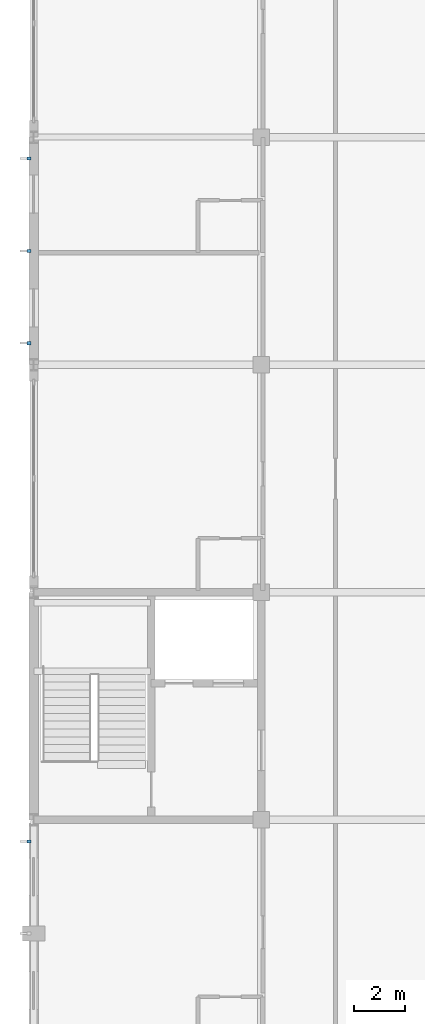
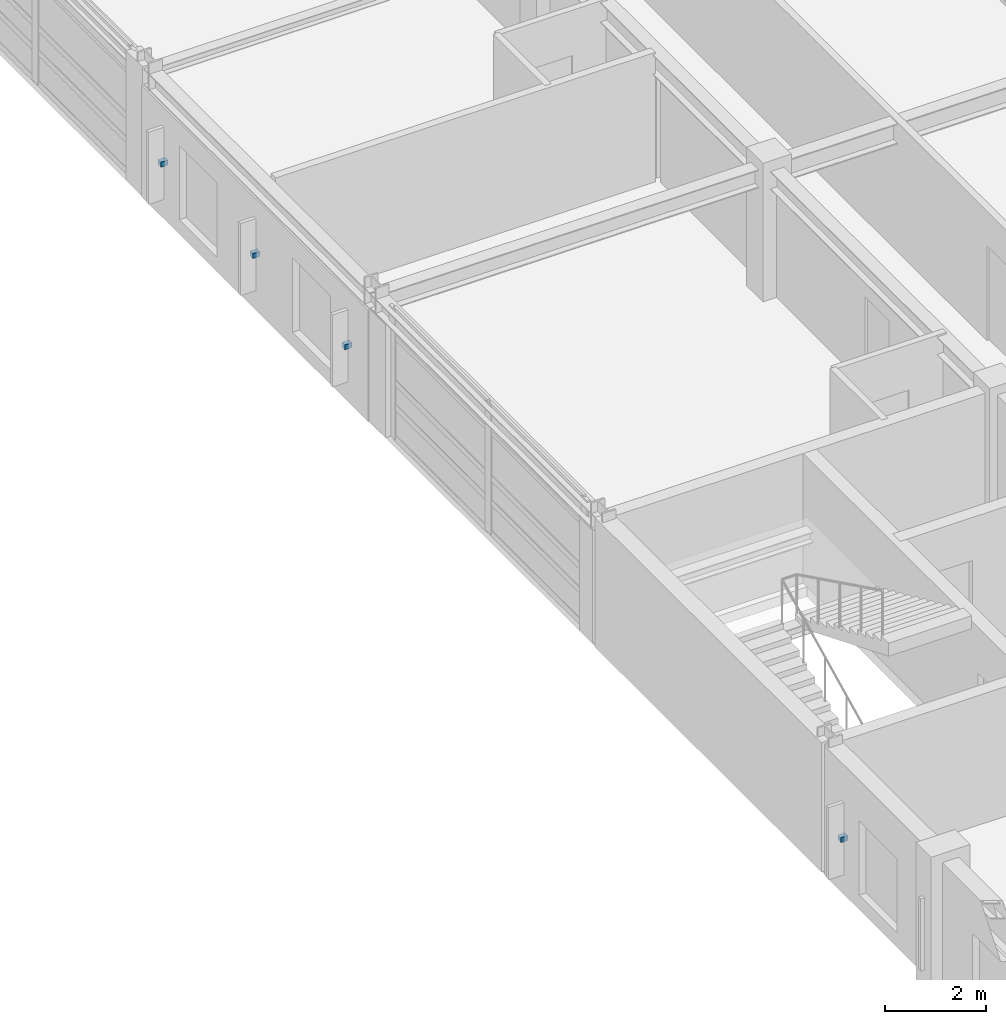
# One storey, part 83 of 91: 4 discrete accessories.
"""IFC4 building model written with IfcOpenShell, lengths in metres."""

import ifcopenshell
import ifcopenshell.guid

model = None  # the IFC model being written
_history = None  # IfcOwnerHistory: only IFC2X3 demands one
_inside = {}  # id of a spatial element -> (the spatial element, [elements in it])
_under = {}  # id of a project, library or spatial element -> (it, [spatial elements below it])
_declared = {}  # id of a project -> (the project, [libraries it declares])
_typed = {}  # id of a type object -> (the type object, [elements of that type])
_made_of = {}  # id of a material, layer set ... -> (it, [elements and type objects made of it])


def new_model(schema):
    """Start an empty IFC model of exactly this schema.

    Asked for "IFC4X3", IfcOpenShell would pick the latest addendum, in which some entities
    have other attributes; the version numbers below select the first issue.
    IFC2X3 requires an IfcOwnerHistory on every rooted entity: one is made here for all.
    """
    global model, _history
    if schema == "IFC4X3":
        model = ifcopenshell.file(schema_version=(4, 3, 0, 0))
    else:
        model = ifcopenshell.file(schema=schema)
    _inside.clear()
    _under.clear()
    _declared.clear()
    _typed.clear()
    _made_of.clear()
    _history = None
    if model.schema == "IFC2X3":
        org = make("IfcOrganization", Name="unknown")
        user = make(
            "IfcPersonAndOrganization",
            ThePerson=make("IfcPerson", FamilyName="unknown"),
            TheOrganization=org,
        )
        app = make(
            "IfcApplication",
            ApplicationDeveloper=org,
            Version="unknown",
            ApplicationFullName="unknown",
            ApplicationIdentifier="unknown",
        )
        _history = make(
            "IfcOwnerHistory",
            OwningUser=user,
            OwningApplication=app,
            ChangeAction="ADDED",
            CreationDate=0,
        )
    return model


def make(cls, **values):
    """One entity of the class cls with the attributes given. An attribute that is None is left unset."""
    return model.create_entity(
        cls, **{name: value for name, value in values.items() if value is not None}
    )


def rooted(cls, **values):
    """An entity with a GlobalId (a new one), such as an element, a storey or a relation."""
    return make(cls, GlobalId=ifcopenshell.guid.new(), OwnerHistory=_history, **values)


def si_unit(unit_type, name, prefix=None):
    """IfcSIUnit, for example si_unit("LENGTHUNIT", "METRE", prefix="MILLI")."""
    return make("IfcSIUnit", UnitType=unit_type, Prefix=prefix, Name=name)


def assignment(units):
    """IfcUnitAssignment: the units of a project."""
    return None if units is None else make("IfcUnitAssignment", Units=units)


def point(xyz):
    """IfcCartesianPoint."""
    return None if xyz is None else make("IfcCartesianPoint", Coordinates=xyz)


def direction(xyz):
    """IfcDirection."""
    return None if xyz is None else make("IfcDirection", DirectionRatios=xyz)


def frame(location, z_axis=None, x_axis=None):
    """IfcAxis2Placement3D, a coordinate frame: its origin and axes. An axis left out is left unset."""
    return make(
        "IfcAxis2Placement3D",
        Location=point(location),
        Axis=direction(z_axis),
        RefDirection=direction(x_axis),
    )


def frame_2d(location, x_axis=None):
    """IfcAxis2Placement2D, a coordinate frame in the plane: its origin and x axis."""
    return make(
        "IfcAxis2Placement2D", Location=point(location), RefDirection=direction(x_axis)
    )


def origin():
    """The frame at (0, 0, 0) with its axes left unset."""
    return frame((0.0, 0.0, 0.0))


def origin_2d():
    """The frame at (0, 0) in the plane with its x axis left unset."""
    return frame_2d((0.0, 0.0))


def place(relative_to, where):
    """IfcLocalPlacement: puts the frame where relative to a parent placement (None: the world)."""
    return make(
        "IfcLocalPlacement", PlacementRelTo=relative_to, RelativePlacement=where
    )


def context(
    kind, dimensions, precision=None, world=None, true_north=None, identifier=None
):
    """IfcGeometricRepresentationContext, for example the 3D "Model" context."""
    return make(
        "IfcGeometricRepresentationContext",
        ContextIdentifier=identifier,
        ContextType=kind,
        CoordinateSpaceDimension=dimensions,
        Precision=precision,
        WorldCoordinateSystem=world,
        TrueNorth=true_north,
    )


def subcontext(parent, identifier, kind, view, scale=None):
    """IfcGeometricRepresentationSubContext, for example "Body" below "Model"."""
    return make(
        "IfcGeometricRepresentationSubContext",
        ContextIdentifier=identifier,
        ContextType=kind,
        ParentContext=parent,
        TargetScale=scale,
        TargetView=view,
    )


def project(units=None, contexts=None):
    """IfcProject with its units and contexts."""
    return rooted(
        "IfcProject",
        Name="project",
        RepresentationContexts=contexts,
        UnitsInContext=assignment(units),
    )


def spatial(cls, under=None, at=None, **own):
    """A site, building, storey or space (cls), placed at a placement, below another one or the project."""
    s = rooted(cls, ObjectPlacement=at, **own)
    if under is not None:
        _under.setdefault(under.id(), (under, []))[1].append(s)
    return s


def profile(cls, at=None, kind="AREA", **sizes):
    """A parametric profile (cls). Its sizes go by their IFC names, for example OverallWidth=200.0."""
    return make(cls, ProfileType=kind, Position=at, **sizes)


def rectangle(**sizes):
    """IfcRectangleProfileDef."""
    return profile("IfcRectangleProfileDef", **sizes)


def extrude(swept, where, along, depth):
    """IfcExtrudedAreaSolid: the profile swept, set in the frame where, extruded along a direction by depth."""
    return make(
        "IfcExtrudedAreaSolid",
        SweptArea=swept,
        Position=where,
        ExtrudedDirection=direction(along),
        Depth=depth,
    )


def shape(context_of_items, identifier, shape_type, items):
    """IfcShapeRepresentation: the items that make up one representation, for example the "Body"."""
    return make(
        "IfcShapeRepresentation",
        ContextOfItems=context_of_items,
        RepresentationIdentifier=identifier,
        RepresentationType=shape_type,
        Items=items,
    )


def material(Name=None, Category=None):
    """IfcMaterial."""
    return make("IfcMaterial", Name=Name, Category=Category)


def made_of(thing, what):
    """Note that an element or type object is made of a material, layer set ...; save() writes the relation."""
    if what is not None:
        _made_of.setdefault(what.id(), (what, []))[1].append(thing)
    return thing


def type_object(cls, material=None, **own):
    """A type object (cls), such as IfcWallType, which elements share."""
    return made_of(rooted(cls, **own), material)


def element(
    cls,
    number,
    at=None,
    inside=None,
    cuts=None,
    type_object=None,
    material=None,
    context=None,
    identifier="Body",
    shape_type=None,
    held_by="IfcProductDefinitionShape",
    body=None,
    shapes=None,
    **own,
):
    """One element of the class cls, such as IfcWall. Its Tag is "e" and its number.

    at: its placement. inside: the storey or other place that contains it. cuts: it is an
    opening in that element (IfcRelVoidsElement). A single representation is given by context,
    identifier, shape_type and body (its items); several are given by shapes. held_by: the class
    of the entity that holds the representations. save() writes the other relations.
    """
    e = rooted(cls, Tag="e%d" % number, ObjectPlacement=at, **own)
    if body is not None:
        shapes = [shape(context, identifier, shape_type, body)]
    if shapes is not None:
        e.Representation = make(held_by, Representations=shapes)
    if inside is not None:
        _inside.setdefault(inside.id(), (inside, []))[1].append(e)
    if cuts is not None:
        rooted(
            "IfcRelVoidsElement", RelatingBuildingElement=cuts, RelatedOpeningElement=e
        )
    if type_object is not None:
        _typed.setdefault(type_object.id(), (type_object, []))[1].append(e)
    return made_of(e, material)


def aggregate(whole, parts):
    """IfcRelAggregates: a whole, such as a stair, and the parts it consists of."""
    return rooted("IfcRelAggregates", RelatingObject=whole, RelatedObjects=parts)


def save(model, path):
    """Write the relations noted so far, then the file.

    IfcRelAggregates (storeys below a building ...), IfcRelContainedInSpatialStructure (elements
    in a storey), IfcRelDefinesByType, IfcRelAssociatesMaterial and IfcRelDeclares: one each for
    every whole, place, type object, material and project.
    """
    for whole, parts in _under.values():
        aggregate(whole, parts)
    for where, things in _inside.values():
        rooted(
            "IfcRelContainedInSpatialStructure",
            RelatedElements=things,
            RelatingStructure=where,
        )
    for kind, things in _typed.values():
        rooted("IfcRelDefinesByType", RelatedObjects=things, RelatingType=kind)
    for what, things in _made_of.values():
        rooted("IfcRelAssociatesMaterial", RelatedObjects=things, RelatingMaterial=what)
    for by, libraries in _declared.values():
        rooted("IfcRelDeclares", RelatingContext=by, RelatedDefinitions=libraries)
    model.write(path)


model = new_model("IFC4")

# Units and contexts
model_context = context("Model", 3, precision=1e-05, world=origin(), true_north=direction((0.0, 1.0)))
body_context = subcontext(model_context, "Body", "Model", "MODEL_VIEW")
ifc_project = project(units=[si_unit("LENGTHUNIT", "METRE"), si_unit("AREAUNIT", "SQUARE_METRE"), si_unit("VOLUMEUNIT", "CUBIC_METRE"), si_unit("PLANEANGLEUNIT", "RADIAN"), si_unit("MASSUNIT", "GRAM", prefix="KILO")], contexts=[model_context])

# Site, building, storey
site_placement = place(None, origin())
site = spatial("IfcSite", under=ifc_project, at=site_placement, CompositionType="ELEMENT")
building_placement = place(site_placement, origin())
building = spatial("IfcBuilding", under=site, at=building_placement, Name="Palais des Congres Ocreval", CompositionType="ELEMENT")
storey_placement = place(building_placement, frame((0.0, 0.0, 8.159912109375)))
storey = spatial("IfcBuildingStorey", under=building, at=storey_placement, Name="L02", CompositionType="ELEMENT", Elevation=8.159912109375)

# Discrete accessories
ifc_material = material(Name="Steel S355", Category="steel")
discrete_accessory_type = type_object("IfcDiscreteAccessoryType", Name="Stainless Brise-Soleil Fixing Bracket", PredefinedType="BRACKET", material=ifc_material)
for number, where, z_axis, x_axis, name in (
    (1, (-0.18994140625, 35.14990234375, 1.2900390625), (0.0, 0.0, 1.0), (-1.0, 0.0, 0.0), "Celosia Fixing Bracket BK01"),
    (2, (-0.18994140625, 54.85009765625, 1.2900390625), (0.0, 0.0, 1.0), (-1.0, 0.0, 0.0), "Celosia Fixing Bracket BK01"),
    (3, (-0.18994140625, 58.5, 1.2900390625), (0.0, 0.0, 1.0), (-1.0, 0.0, 0.0), "Celosia Fixing Bracket BK01"),
    (4, (-0.18994140625, 62.14990234375, 1.2900390625), (0.0, 0.0, 1.0), (-1.0, 0.0, 0.0), "Celosia Fixing Bracket BK01"),
):
    element("IfcDiscreteAccessory", number, at=place(storey_placement, frame(where, z_axis=z_axis, x_axis=x_axis)), inside=storey, type_object=discrete_accessory_type, Name=name, PredefinedType="BRACKET", context=body_context, shape_type="SweptSolid", body=[
        extrude(rectangle(XDim=0.159912109375, YDim=0.1201171875, at=origin_2d()), origin(), (0.0, 0.0, 1.0), 0.1201171875),
    ])

save(model, "model.ifc")
